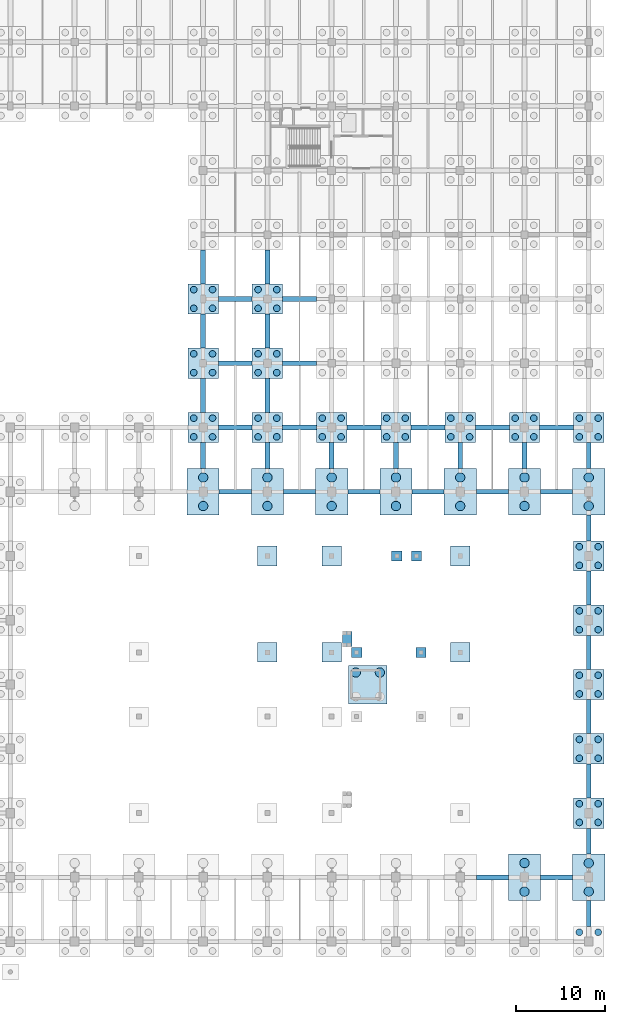
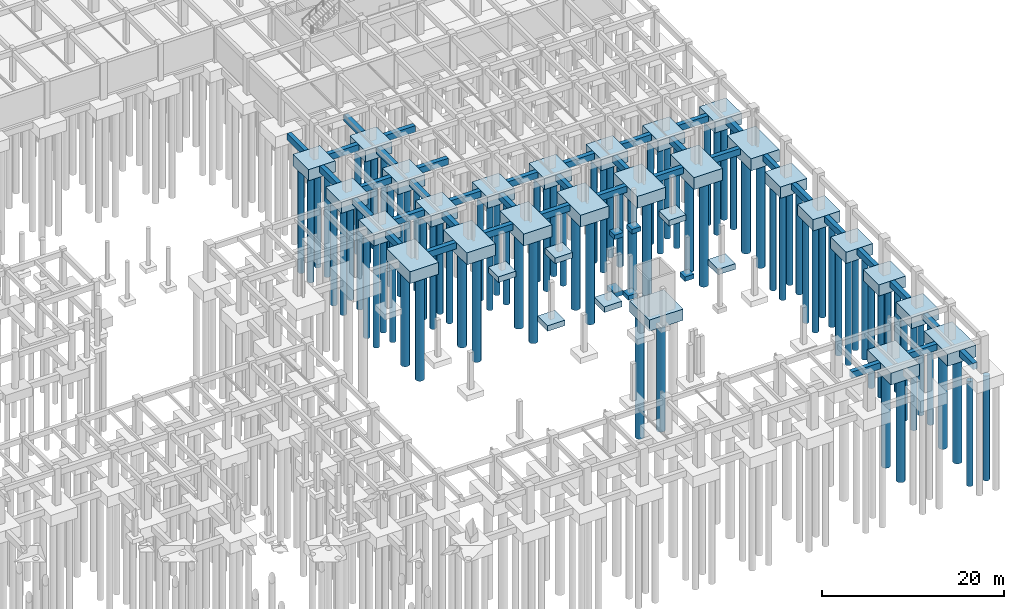
# One storey, part 11 of 47: 86 piles, 75 footings.
"""IFC4 building model written with IfcOpenShell, lengths in metres."""

from ifc_helpers import new_model, si_unit, direction, frame, origin, origin_2d, place, context, subcontext, project, spatial, rectangle, circle, extrude, material, material_profile, profile_set, type_object, element, save


model = new_model("IFC4")

# Units and contexts
model_context = context("Model", 3, precision=1e-05, world=origin(), true_north=direction((0.0, 1.0)))
body_context = subcontext(model_context, "Body", "Model", "MODEL_VIEW")
ifc_project = project(units=[si_unit("LENGTHUNIT", "METRE"), si_unit("AREAUNIT", "SQUARE_METRE"), si_unit("VOLUMEUNIT", "CUBIC_METRE"), si_unit("PLANEANGLEUNIT", "RADIAN"), si_unit("MASSUNIT", "GRAM", prefix="KILO")], contexts=[model_context])

# Site, building, storey
site_placement = place(None, origin())
site = spatial("IfcSite", under=ifc_project, at=site_placement, CompositionType="ELEMENT")
building_placement = place(site_placement, origin())
building = spatial("IfcBuilding", under=site, at=building_placement, Name="Thalmaran Polytechnic", CompositionType="ELEMENT")
storey_placement = place(building_placement, frame((0.0, 0.0, -4.5)))
storey = spatial("IfcBuildingStorey", under=building, at=storey_placement, Name="B1", CompositionType="ELEMENT", Elevation=-4.5)

# Footings
ifc_material_1 = material(Name="Concrete C40/50", Category="concrete")
ifc_material_profile_1 = material_profile(ifc_material_1, rectangle(XDim=0.550048828125, YDim=0.85009765625, at=origin_2d()), Name="RC 550x850")
ifc_profile_set_1 = profile_set([ifc_material_profile_1], Name="Concrete C40/50")
footing_type_1 = type_object("IfcFootingType", Name="FN-GB01", PredefinedType="FOOTING_BEAM", material=ifc_profile_set_1)
footing_1_placement = place(storey_placement, frame((131.39990234375, 50.39990234375, -0.875), z_axis=(1.0, 0.0, 0.0), x_axis=(0.0, 1.0, 0.0)))
element("IfcFooting", 1, at=footing_1_placement, inside=storey, type_object=footing_type_1, Name="Ground Tie Beam B1 X (18,7)", PredefinedType="FOOTING_BEAM", context=body_context, shape_type="SweptSolid", body=[
    extrude(rectangle(XDim=0.550048828125, YDim=0.85009765625, at=origin_2d()), origin(), (0.0, 0.0, 1.0), 3.60009765625),
])
footing_2_placement = place(storey_placement, frame((129.60009765625, 53.0, -0.875), z_axis=(0.0, 1.0, 0.0), x_axis=(-1.0, 0.0, 0.0)))
element("IfcFooting", 2, at=footing_2_placement, inside=storey, type_object=footing_type_1, Name="Ground Tie Beam B1 Y (18,7)", PredefinedType="FOOTING_BEAM", context=body_context, shape_type="SweptSolid", body=[
    extrude(rectangle(XDim=0.550048828125, YDim=0.85009765625, at=origin_2d()), origin(), (0.0, 0.0, 1.0), 2.89990234375),
])
for number, where, z_axis, x_axis, name in (
    (3, (131.300048828125, 57.60009765625, -0.875), (1.0, 0.0, 0.0), (0.0, 1.0, 0.0), "Ground Tie Beam B1 X (18,8)"),
    (4, (129.60009765625, 59.300048828125, -0.875), (0.0, 1.0, 0.0), (-1.0, 0.0, 0.0), "Ground Tie Beam B1 Y (18,8)"),
    (5, (131.300048828125, 64.800048828125, -0.875), (1.0, 0.0, 0.0), (0.0, 1.0, 0.0), "Ground Tie Beam B1 X (18,9)"),
    (6, (129.60009765625, 66.5, -0.875), (0.0, 1.0, 0.0), (-1.0, 0.0, 0.0), "Ground Tie Beam B1 Y (18,9)"),
    (7, (131.300048828125, 72.0, -0.875), (1.0, 0.0, 0.0), (0.0, 1.0, 0.0), "Ground Tie Beam B1 X (18,10)"),
    (8, (129.60009765625, 73.699951171875, -0.875), (0.0, 1.0, 0.0), (-1.0, 0.0, 0.0), "Ground Tie Beam B1 Y (18,10)"),
):
    element("IfcFooting", number, at=place(storey_placement, frame(where, z_axis=z_axis, x_axis=x_axis)), inside=storey, type_object=footing_type_1, Name=name, PredefinedType="FOOTING_BEAM", context=body_context, shape_type="SweptSolid", body=[
        extrude(rectangle(XDim=0.550048828125, YDim=0.85009765625, at=origin_2d()), origin(), (0.0, 0.0, 1.0), 3.800048828125),
    ])
footing_3_placement = place(storey_placement, frame((138.60009765625, 50.39990234375, -0.875), z_axis=(1.0, 0.0, 0.0), x_axis=(0.0, 1.0, 0.0)))
element("IfcFooting", 9, at=footing_3_placement, inside=storey, type_object=footing_type_1, Name="Ground Tie Beam B1 X (19,7)", PredefinedType="FOOTING_BEAM", context=body_context, shape_type="SweptSolid", body=[
    extrude(rectangle(XDim=0.550048828125, YDim=0.85009765625, at=origin_2d()), origin(), (0.0, 0.0, 1.0), 3.599853515625),
])
footing_4_placement = place(storey_placement, frame((136.800048828125, 53.0, -0.875), z_axis=(0.0, 1.0, 0.0), x_axis=(-1.0, 0.0, 0.0)))
element("IfcFooting", 10, at=footing_4_placement, inside=storey, type_object=footing_type_1, Name="Ground Tie Beam B1 Y (19,7)", PredefinedType="FOOTING_BEAM", context=body_context, shape_type="SweptSolid", body=[
    extrude(rectangle(XDim=0.550048828125, YDim=0.85009765625, at=origin_2d()), origin(), (0.0, 0.0, 1.0), 2.89990234375),
])
for number, where, z_axis, x_axis, name in (
    (11, (138.5, 57.60009765625, -0.875), (1.0, 0.0, 0.0), (0.0, 1.0, 0.0), "Ground Tie Beam B1 X (19,8)"),
    (12, (136.800048828125, 59.300048828125, -0.875), (0.0, 1.0, 0.0), (-1.0, 0.0, 0.0), "Ground Tie Beam B1 Y (19,8)"),
    (13, (138.5, 64.800048828125, -0.875), (1.0, 0.0, 0.0), (0.0, 1.0, 0.0), "Ground Tie Beam B1 X (19,9)"),
    (14, (136.800048828125, 66.5, -0.875), (0.0, 1.0, 0.0), (-1.0, 0.0, 0.0), "Ground Tie Beam B1 Y (19,9)"),
    (15, (138.5, 72.0, -0.875), (1.0, 0.0, 0.0), (0.0, 1.0, 0.0), "Ground Tie Beam B1 X (19,10)"),
    (16, (136.800048828125, 73.699951171875, -0.875), (0.0, 1.0, 0.0), (-1.0, 0.0, 0.0), "Ground Tie Beam B1 Y (19,10)"),
):
    element("IfcFooting", number, at=place(storey_placement, frame(where, z_axis=z_axis, x_axis=x_axis)), inside=storey, type_object=footing_type_1, Name=name, PredefinedType="FOOTING_BEAM", context=body_context, shape_type="SweptSolid", body=[
        extrude(rectangle(XDim=0.550048828125, YDim=0.85009765625, at=origin_2d()), origin(), (0.0, 0.0, 1.0), 3.800048828125),
    ])
footing_5_placement = place(storey_placement, frame((145.800048828125, 50.39990234375, -0.875), z_axis=(1.0, 0.0, 0.0), x_axis=(0.0, 1.0, 0.0)))
element("IfcFooting", 17, at=footing_5_placement, inside=storey, type_object=footing_type_1, Name="Ground Tie Beam B1 X (20,7)", PredefinedType="FOOTING_BEAM", context=body_context, shape_type="SweptSolid", body=[
    extrude(rectangle(XDim=0.550048828125, YDim=0.85009765625, at=origin_2d()), origin(), (0.0, 0.0, 1.0), 3.599853515625),
])
footing_6_placement = place(storey_placement, frame((144.0, 53.0, -0.875), z_axis=(0.0, 1.0, 0.0), x_axis=(-1.0, 0.0, 0.0)))
element("IfcFooting", 18, at=footing_6_placement, inside=storey, type_object=footing_type_1, Name="Ground Tie Beam B1 Y (20,7)", PredefinedType="FOOTING_BEAM", context=body_context, shape_type="SweptSolid", body=[
    extrude(rectangle(XDim=0.550048828125, YDim=0.85009765625, at=origin_2d()), origin(), (0.0, 0.0, 1.0), 2.89990234375),
])
footing_7_placement = place(storey_placement, frame((145.699951171875, 57.60009765625, -0.875), z_axis=(1.0, 0.0, 0.0), x_axis=(0.0, 1.0, 0.0)))
element("IfcFooting", 19, at=footing_7_placement, inside=storey, type_object=footing_type_1, Name="Ground Tie Beam B1 X (20,8)", PredefinedType="FOOTING_BEAM", context=body_context, shape_type="SweptSolid", body=[
    extrude(rectangle(XDim=0.550048828125, YDim=0.85009765625, at=origin_2d()), origin(), (0.0, 0.0, 1.0), 3.800048828125),
])
footing_8_placement = place(storey_placement, frame((153.0, 50.39990234375, -0.875), z_axis=(1.0, 0.0, 0.0), x_axis=(0.0, 1.0, 0.0)))
element("IfcFooting", 20, at=footing_8_placement, inside=storey, type_object=footing_type_1, Name="Ground Tie Beam B1 X (21,7)", PredefinedType="FOOTING_BEAM", context=body_context, shape_type="SweptSolid", body=[
    extrude(rectangle(XDim=0.550048828125, YDim=0.85009765625, at=origin_2d()), origin(), (0.0, 0.0, 1.0), 3.60009765625),
])
footing_9_placement = place(storey_placement, frame((151.199951171875, 53.0, -0.875), z_axis=(0.0, 1.0, 0.0), x_axis=(-1.0, 0.0, 0.0)))
element("IfcFooting", 21, at=footing_9_placement, inside=storey, type_object=footing_type_1, Name="Ground Tie Beam B1 Y (21,7)", PredefinedType="FOOTING_BEAM", context=body_context, shape_type="SweptSolid", body=[
    extrude(rectangle(XDim=0.550048828125, YDim=0.85009765625, at=origin_2d()), origin(), (0.0, 0.0, 1.0), 2.89990234375),
])
footing_10_placement = place(storey_placement, frame((152.89990234375, 57.60009765625, -0.875), z_axis=(1.0, 0.0, 0.0), x_axis=(0.0, 1.0, 0.0)))
element("IfcFooting", 22, at=footing_10_placement, inside=storey, type_object=footing_type_1, Name="Ground Tie Beam B1 X (21,8)", PredefinedType="FOOTING_BEAM", context=body_context, shape_type="SweptSolid", body=[
    extrude(rectangle(XDim=0.550048828125, YDim=0.85009765625, at=origin_2d()), origin(), (0.0, 0.0, 1.0), 3.800048828125),
])
for number, where, z_axis, x_axis, name in (
    (23, (160.199951171875, 7.199951171875, -0.875), (1.0, 0.0, 0.0), (0.0, 1.0, 0.0), "Ground Tie Beam B1 X (22,1)"),
    (24, (160.199951171875, 50.39990234375, -0.875), (1.0, 0.0, 0.0), (0.0, 1.0, 0.0), "Ground Tie Beam B1 X (22,7)"),
):
    element("IfcFooting", number, at=place(storey_placement, frame(where, z_axis=z_axis, x_axis=x_axis)), inside=storey, type_object=footing_type_1, Name=name, PredefinedType="FOOTING_BEAM", context=body_context, shape_type="SweptSolid", body=[
        extrude(rectangle(XDim=0.550048828125, YDim=0.85009765625, at=origin_2d()), origin(), (0.0, 0.0, 1.0), 3.60009765625),
    ])
footing_11_placement = place(storey_placement, frame((158.39990234375, 53.0, -0.875), z_axis=(0.0, 1.0, 0.0), x_axis=(-1.0, 0.0, 0.0)))
element("IfcFooting", 25, at=footing_11_placement, inside=storey, type_object=footing_type_1, Name="Ground Tie Beam B1 Y (22,7)", PredefinedType="FOOTING_BEAM", context=body_context, shape_type="SweptSolid", body=[
    extrude(rectangle(XDim=0.550048828125, YDim=0.85009765625, at=origin_2d()), origin(), (0.0, 0.0, 1.0), 2.89990234375),
])
footing_12_placement = place(storey_placement, frame((160.10009765625, 57.60009765625, -0.875), z_axis=(1.0, 0.0, 0.0), x_axis=(0.0, 1.0, 0.0)))
element("IfcFooting", 26, at=footing_12_placement, inside=storey, type_object=footing_type_1, Name="Ground Tie Beam B1 X (22,8)", PredefinedType="FOOTING_BEAM", context=body_context, shape_type="SweptSolid", body=[
    extrude(rectangle(XDim=0.550048828125, YDim=0.85009765625, at=origin_2d()), origin(), (0.0, 0.0, 1.0), 3.7998046875),
])
for number, where, z_axis, x_axis, name in (
    (27, (167.39990234375, 7.199951171875, -0.875), (1.0, 0.0, 0.0), (0.0, 1.0, 0.0), "Ground Tie Beam B1 X (23,1)"),
    (28, (167.39990234375, 50.39990234375, -0.875), (1.0, 0.0, 0.0), (0.0, 1.0, 0.0), "Ground Tie Beam B1 X (23,7)"),
):
    element("IfcFooting", number, at=place(storey_placement, frame(where, z_axis=z_axis, x_axis=x_axis)), inside=storey, type_object=footing_type_1, Name=name, PredefinedType="FOOTING_BEAM", context=body_context, shape_type="SweptSolid", body=[
        extrude(rectangle(XDim=0.550048828125, YDim=0.85009765625, at=origin_2d()), origin(), (0.0, 0.0, 1.0), 3.60009765625),
    ])
footing_13_placement = place(storey_placement, frame((165.60009765625, 53.0, -0.875), z_axis=(0.0, 1.0, 0.0), x_axis=(-1.0, 0.0, 0.0)))
element("IfcFooting", 29, at=footing_13_placement, inside=storey, type_object=footing_type_1, Name="Ground Tie Beam B1 Y (23,7)", PredefinedType="FOOTING_BEAM", context=body_context, shape_type="SweptSolid", body=[
    extrude(rectangle(XDim=0.550048828125, YDim=0.85009765625, at=origin_2d()), origin(), (0.0, 0.0, 1.0), 2.89990234375),
])
footing_14_placement = place(storey_placement, frame((167.300048828125, 57.60009765625, -0.875), z_axis=(1.0, 0.0, 0.0), x_axis=(0.0, 1.0, 0.0)))
element("IfcFooting", 30, at=footing_14_placement, inside=storey, type_object=footing_type_1, Name="Ground Tie Beam B1 X (23,8)", PredefinedType="FOOTING_BEAM", context=body_context, shape_type="SweptSolid", body=[
    extrude(rectangle(XDim=0.550048828125, YDim=0.85009765625, at=origin_2d()), origin(), (0.0, 0.0, 1.0), 3.800048828125),
])
footing_15_placement = place(storey_placement, frame((172.800048828125, 1.699951171875, -0.875), z_axis=(0.0, 1.0, 0.0), x_axis=(-1.0, 0.0, 0.0)))
element("IfcFooting", 31, at=footing_15_placement, inside=storey, type_object=footing_type_1, Name="Ground Tie Beam B1 Y (24,0)", PredefinedType="FOOTING_BEAM", context=body_context, shape_type="SweptSolid", body=[
    extrude(rectangle(XDim=0.550048828125, YDim=0.85009765625, at=origin_2d()), origin(), (0.0, 0.0, 1.0), 2.900146484375),
])
footing_16_placement = place(storey_placement, frame((172.800048828125, 9.800048828125, -0.875), z_axis=(0.0, 1.0, 0.0), x_axis=(-1.0, 0.0, 0.0)))
element("IfcFooting", 32, at=footing_16_placement, inside=storey, type_object=footing_type_1, Name="Ground Tie Beam B1 Y (24,1)", PredefinedType="FOOTING_BEAM", context=body_context, shape_type="SweptSolid", body=[
    extrude(rectangle(XDim=0.550048828125, YDim=0.85009765625, at=origin_2d()), origin(), (0.0, 0.0, 1.0), 2.89990234375),
])
footing_17_placement = place(storey_placement, frame((172.800048828125, 16.10009765625, -0.875), z_axis=(0.0, 1.0, 0.0), x_axis=(-1.0, 0.0, 0.0)))
element("IfcFooting", 33, at=footing_17_placement, inside=storey, type_object=footing_type_1, Name="Ground Tie Beam B1 Y (24,2)", PredefinedType="FOOTING_BEAM", context=body_context, shape_type="SweptSolid", body=[
    extrude(rectangle(XDim=0.550048828125, YDim=0.85009765625, at=origin_2d()), origin(), (0.0, 0.0, 1.0), 3.7998046875),
])
for number, where, z_axis, x_axis, name in (
    (34, (172.800048828125, 23.300048828125, -0.875), (0.0, 1.0, 0.0), (-1.0, 0.0, 0.0), "Ground Tie Beam B1 Y (24,3)"),
    (35, (172.800048828125, 30.5, -0.875), (0.0, 1.0, 0.0), (-1.0, 0.0, 0.0), "Ground Tie Beam B1 Y (24,4)"),
    (36, (172.800048828125, 37.699951171875, -0.875), (0.0, 1.0, 0.0), (-1.0, 0.0, 0.0), "Ground Tie Beam B1 Y (24,5)"),
):
    element("IfcFooting", number, at=place(storey_placement, frame(where, z_axis=z_axis, x_axis=x_axis)), inside=storey, type_object=footing_type_1, Name=name, PredefinedType="FOOTING_BEAM", context=body_context, shape_type="SweptSolid", body=[
        extrude(rectangle(XDim=0.550048828125, YDim=0.85009765625, at=origin_2d()), origin(), (0.0, 0.0, 1.0), 3.800048828125),
    ])
footing_18_placement = place(storey_placement, frame((172.800048828125, 44.89990234375, -0.875), z_axis=(0.0, 1.0, 0.0), x_axis=(-1.0, 0.0, 0.0)))
element("IfcFooting", 37, at=footing_18_placement, inside=storey, type_object=footing_type_1, Name="Ground Tie Beam B1 Y (24,6)", PredefinedType="FOOTING_BEAM", context=body_context, shape_type="SweptSolid", body=[
    extrude(rectangle(XDim=0.550048828125, YDim=0.85009765625, at=origin_2d()), origin(), (0.0, 0.0, 1.0), 2.900146484375),
])
footing_19_placement = place(storey_placement, frame((172.800048828125, 53.0, -0.875), z_axis=(0.0, 1.0, 0.0), x_axis=(-1.0, 0.0, 0.0)))
element("IfcFooting", 38, at=footing_19_placement, inside=storey, type_object=footing_type_1, Name="Ground Tie Beam B1 Y (24,7)", PredefinedType="FOOTING_BEAM", context=body_context, shape_type="SweptSolid", body=[
    extrude(rectangle(XDim=0.550048828125, YDim=0.85009765625, at=origin_2d()), origin(), (0.0, 0.0, 1.0), 2.89990234375),
])
footing_type_2 = type_object("IfcFootingType", Name="FN-PC01", PredefinedType="PILE_CAP", material=ifc_material_1)
for number, where, z_axis, x_axis, name in (
    (39, (129.60009765625, 57.60009765625, -1.949951171875), (0.0, 0.0, 1.0), (1.0, 0.0, 0.0), "Pile Cap PC01 (18,8)"),
    (40, (129.60009765625, 64.800048828125, -1.949951171875), (0.0, 0.0, 1.0), (1.0, 0.0, 0.0), "Pile Cap PC01 (18,9)"),
    (41, (129.60009765625, 72.0, -1.949951171875), (0.0, 0.0, 1.0), (1.0, 0.0, 0.0), "Pile Cap PC01 (18,10)"),
    (42, (136.800048828125, 57.60009765625, -1.949951171875), (0.0, 0.0, 1.0), (1.0, 0.0, 0.0), "Pile Cap PC01 (19,8)"),
    (43, (136.800048828125, 64.800048828125, -1.949951171875), (0.0, 0.0, 1.0), (1.0, 0.0, 0.0), "Pile Cap PC01 (19,9)"),
    (44, (136.800048828125, 72.0, -1.949951171875), (0.0, 0.0, 1.0), (1.0, 0.0, 0.0), "Pile Cap PC01 (19,10)"),
    (45, (144.0, 57.60009765625, -1.949951171875), (0.0, 0.0, 1.0), (1.0, 0.0, 0.0), "Pile Cap PC01 (20,8)"),
    (46, (151.199951171875, 57.60009765625, -1.949951171875), (0.0, 0.0, 1.0), (1.0, 0.0, 0.0), "Pile Cap PC01 (21,8)"),
    (47, (158.39990234375, 57.60009765625, -1.949951171875), (0.0, 0.0, 1.0), (1.0, 0.0, 0.0), "Pile Cap PC01 (22,8)"),
    (48, (165.60009765625, 57.60009765625, -1.949951171875), (0.0, 0.0, 1.0), (1.0, 0.0, 0.0), "Pile Cap PC01 (23,8)"),
    (49, (172.800048828125, 14.39990234375, -1.949951171875), (0.0, 0.0, 1.0), (1.0, 0.0, 0.0), "Pile Cap PC01 (24,2)"),
    (50, (172.800048828125, 21.60009765625, -1.949951171875), (0.0, 0.0, 1.0), (1.0, 0.0, 0.0), "Pile Cap PC01 (24,3)"),
    (51, (172.800048828125, 28.800048828125, -1.949951171875), (0.0, 0.0, 1.0), (1.0, 0.0, 0.0), "Pile Cap PC01 (24,4)"),
    (52, (172.800048828125, 36.0, -1.949951171875), (0.0, 0.0, 1.0), (1.0, 0.0, 0.0), "Pile Cap PC01 (24,5)"),
    (53, (172.800048828125, 43.199951171875, -1.949951171875), (0.0, 0.0, 1.0), (1.0, 0.0, 0.0), "Pile Cap PC01 (24,6)"),
    (54, (172.800048828125, 57.60009765625, -1.949951171875), (0.0, 0.0, 1.0), (1.0, 0.0, 0.0), "Pile Cap PC01 (24,8)"),
):
    element("IfcFooting", number, at=place(storey_placement, frame(where, z_axis=z_axis, x_axis=x_axis)), inside=storey, type_object=footing_type_2, Name=name, PredefinedType="PILE_CAP", context=body_context, shape_type="SweptSolid", body=[
        extrude(rectangle(XDim=3.39990234375, YDim=3.39990234375, at=origin_2d()), origin(), (0.0, 0.0, 1.0), 1.5),
    ])
footing_20_placement = place(storey_placement, frame((148.050048828125, 28.800048828125, -1.949951171875), z_axis=(0.0, 0.0, 1.0), x_axis=(1.0, 0.0, 0.0)))
element("IfcFooting", 55, at=footing_20_placement, inside=storey, type_object=footing_type_2, Name="Pod Lift Pit Pile Cap", PredefinedType="PILE_CAP", context=body_context, shape_type="SweptSolid", body=[
    extrude(rectangle(XDim=4.300048828125, YDim=4.300048828125, at=origin_2d()), origin(), (0.0, 0.0, 1.0), 1.5),
])
footing_type_3 = type_object("IfcFootingType", Name="FN-PC08", PredefinedType="PILE_CAP", material=ifc_material_1)
for number, where, z_axis, x_axis, name in (
    (56, (129.60009765625, 50.39990234375, -2.050048828125), (0.0, 0.0, 1.0), (1.0, 0.0, 0.0), "Pile Cap PC08 (18,7)"),
    (57, (136.800048828125, 50.39990234375, -2.050048828125), (0.0, 0.0, 1.0), (1.0, 0.0, 0.0), "Pile Cap PC08 (19,7)"),
    (58, (144.0, 50.39990234375, -2.050048828125), (0.0, 0.0, 1.0), (1.0, 0.0, 0.0), "Pile Cap PC08 (20,7)"),
    (59, (151.199951171875, 50.39990234375, -2.050048828125), (0.0, 0.0, 1.0), (1.0, 0.0, 0.0), "Pile Cap PC08 (21,7)"),
    (60, (158.39990234375, 50.39990234375, -2.050048828125), (0.0, 0.0, 1.0), (1.0, 0.0, 0.0), "Pile Cap PC08 (22,7)"),
    (61, (165.60009765625, 7.199951171875, -2.050048828125), (0.0, 0.0, 1.0), (1.0, 0.0, 0.0), "Pile Cap PC08 (23,1)"),
    (62, (165.60009765625, 50.39990234375, -2.050048828125), (0.0, 0.0, 1.0), (1.0, 0.0, 0.0), "Pile Cap PC08 (23,7)"),
    (63, (172.800048828125, 7.199951171875, -2.050048828125), (0.0, 0.0, 1.0), (1.0, 0.0, 0.0), "Pile Cap PC08 (24,1)"),
    (64, (172.800048828125, 50.39990234375, -2.050048828125), (0.0, 0.0, 1.0), (1.0, 0.0, 0.0), "Pile Cap PC08 (24,7)"),
):
    element("IfcFooting", number, at=place(storey_placement, frame(where, z_axis=z_axis, x_axis=x_axis)), inside=storey, type_object=footing_type_3, Name=name, PredefinedType="PILE_CAP", context=body_context, shape_type="SweptSolid", body=[
        extrude(rectangle(XDim=3.60009765625, YDim=5.199951171875, at=origin_2d()), origin(), (0.0, 0.0, 1.0), 1.60009765625),
    ])
footing_type_4 = type_object("IfcFootingType", Name="FN-PF01", PredefinedType="PAD_FOOTING", material=ifc_material_1)
for number, where, z_axis, x_axis, name in (
    (65, (136.800048828125, 32.39990234375, -1.199951171875), (0.0, 0.0, 1.0), (1.0, 0.0, 0.0), "POD3 Sabkha Pad Footing"),
    (66, (136.800048828125, 43.199951171875, -1.199951171875), (0.0, 0.0, 1.0), (1.0, 0.0, 0.0), "POD3 Sabkha Pad Footing"),
    (67, (144.0, 32.39990234375, -1.199951171875), (0.0, 0.0, 1.0), (1.0, 0.0, 0.0), "POD4 Sabkha Pad Footing"),
    (68, (144.0, 43.199951171875, -1.199951171875), (0.0, 0.0, 1.0), (1.0, 0.0, 0.0), "POD4 Sabkha Pad Footing"),
    (69, (158.39990234375, 32.39990234375, -1.199951171875), (0.0, 0.0, 1.0), (1.0, 0.0, 0.0), "POD4 Sabkha Pad Footing"),
    (70, (158.39990234375, 43.199951171875, -1.199951171875), (0.0, 0.0, 1.0), (1.0, 0.0, 0.0), "POD4 Sabkha Pad Footing"),
):
    element("IfcFooting", number, at=place(storey_placement, frame(where, z_axis=z_axis, x_axis=x_axis)), inside=storey, type_object=footing_type_4, Name=name, PredefinedType="PAD_FOOTING", context=body_context, shape_type="SweptSolid", body=[
        extrude(rectangle(XDim=2.199951171875, YDim=2.199951171875, at=origin_2d()), origin(), (0.0, 0.0, 1.0), 0.75),
    ])
footing_type_5 = type_object("IfcFootingType", Name="FN-PF02", PredefinedType="PAD_FOOTING", material=ifc_material_1)
footing_21_placement = place(storey_placement, frame((145.75, 33.89990234375, -1.099853515625), z_axis=(0.0, 0.0, 1.0), x_axis=(1.0, 0.0, 0.0)))
element("IfcFooting", 71, at=footing_21_placement, inside=storey, type_object=footing_type_5, Name="STP2 Combined Landing Pad Footing", PredefinedType="PAD_FOOTING", context=body_context, shape_type="SweptSolid", body=[
    extrude(rectangle(XDim=1.0400390625, YDim=1.64990234375, at=origin_2d()), origin(), (0.0, 0.0, 1.0), 0.64990234375),
])
footing_type_6 = type_object("IfcFootingType", Name="FN-PF03", PredefinedType="PAD_FOOTING", material=ifc_material_1)
for number, where, z_axis, x_axis, name in (
    (72, (146.800048828125, 32.39990234375, -1.050048828125), (0.0, 0.0, 1.0), (1.0, 0.0, 0.0), "Pod Bridge Footing (146.8,32.4)"),
    (73, (154.0, 32.39990234375, -1.050048828125), (0.0, 0.0, 1.0), (1.0, 0.0, 0.0), "Pod Bridge Footing (154.0,32.4)"),
    (74, (151.300048828125, 43.199951171875, -1.050048828125), (0.0, 0.0, 1.0), (1.0, 0.0, 0.0), "Pod Bridge Footing (151.3,43.2)"),
    (75, (153.5, 43.199951171875, -1.050048828125), (0.0, 0.0, 1.0), (1.0, 0.0, 0.0), "Pod Bridge Footing (153.5,43.2)"),
):
    element("IfcFooting", number, at=place(storey_placement, frame(where, z_axis=z_axis, x_axis=x_axis)), inside=storey, type_object=footing_type_6, Name=name, PredefinedType="PAD_FOOTING", context=body_context, shape_type="SweptSolid", body=[
        extrude(rectangle(XDim=1.14990234375, YDim=1.14990234375, at=origin_2d()), origin(), (0.0, 0.0, 1.0), 0.60009765625),
    ])

# Piles
ifc_material_2 = material(Name="Concrete C35/45", Category="concrete")
ifc_material_profile_2 = material_profile(ifc_material_2, circle(Radius=0.52490234375, at=origin_2d()), Name="RC 1050 DIA")
ifc_profile_set_2 = profile_set([ifc_material_profile_2], Name="Concrete C35/45")
pile_type_1 = type_object("IfcPileType", Name="PL-BP01", PredefinedType="BORED", material=ifc_profile_set_2)
for number, where, z_axis, x_axis, name in (
    (76, (129.60009765625, 48.800048828125, -2.050048828125), (0.0, 0.0, -1.0), (1.0, 0.0, 0.0), "Bored Pile BP01 (18,7)-1"),
    (77, (129.60009765625, 52.0, -2.050048828125), (0.0, 0.0, -1.0), (1.0, 0.0, 0.0), "Bored Pile BP01 (18,7)-2"),
    (78, (136.800048828125, 48.800048828125, -2.050048828125), (0.0, 0.0, -1.0), (1.0, 0.0, 0.0), "Bored Pile BP01 (19,7)-1"),
    (79, (136.800048828125, 52.0, -2.050048828125), (0.0, 0.0, -1.0), (1.0, 0.0, 0.0), "Bored Pile BP01 (19,7)-2"),
    (80, (144.0, 48.800048828125, -2.050048828125), (0.0, 0.0, -1.0), (1.0, 0.0, 0.0), "Bored Pile BP01 (20,7)-1"),
    (81, (144.0, 52.0, -2.050048828125), (0.0, 0.0, -1.0), (1.0, 0.0, 0.0), "Bored Pile BP01 (20,7)-2"),
    (82, (151.199951171875, 48.800048828125, -2.050048828125), (0.0, 0.0, -1.0), (1.0, 0.0, 0.0), "Bored Pile BP01 (21,7)-1"),
    (83, (151.199951171875, 52.0, -2.050048828125), (0.0, 0.0, -1.0), (1.0, 0.0, 0.0), "Bored Pile BP01 (21,7)-2"),
    (84, (158.39990234375, 48.800048828125, -2.050048828125), (0.0, 0.0, -1.0), (1.0, 0.0, 0.0), "Bored Pile BP01 (22,7)-1"),
    (85, (158.39990234375, 52.0, -2.050048828125), (0.0, 0.0, -1.0), (1.0, 0.0, 0.0), "Bored Pile BP01 (22,7)-2"),
    (86, (165.60009765625, 5.60009765625, -2.050048828125), (0.0, 0.0, -1.0), (1.0, 0.0, 0.0), "Bored Pile BP01 (23,1)-1"),
    (87, (165.60009765625, 8.800048828125, -2.050048828125), (0.0, 0.0, -1.0), (1.0, 0.0, 0.0), "Bored Pile BP01 (23,1)-2"),
    (88, (165.60009765625, 48.800048828125, -2.050048828125), (0.0, 0.0, -1.0), (1.0, 0.0, 0.0), "Bored Pile BP01 (23,7)-1"),
    (89, (165.60009765625, 52.0, -2.050048828125), (0.0, 0.0, -1.0), (1.0, 0.0, 0.0), "Bored Pile BP01 (23,7)-2"),
    (90, (172.800048828125, 5.60009765625, -2.050048828125), (0.0, 0.0, -1.0), (1.0, 0.0, 0.0), "Bored Pile BP01 (24,1)-1"),
    (91, (172.800048828125, 8.800048828125, -2.050048828125), (0.0, 0.0, -1.0), (1.0, 0.0, 0.0), "Bored Pile BP01 (24,1)-2"),
    (92, (172.800048828125, 48.800048828125, -2.050048828125), (0.0, 0.0, -1.0), (1.0, 0.0, 0.0), "Bored Pile BP01 (24,7)-1"),
    (93, (172.800048828125, 52.0, -2.050048828125), (0.0, 0.0, -1.0), (1.0, 0.0, 0.0), "Bored Pile BP01 (24,7)-2"),
):
    element("IfcPile", number, at=place(storey_placement, frame(where, z_axis=z_axis, x_axis=x_axis)), inside=storey, type_object=pile_type_1, Name=name, PredefinedType="BORED", context=body_context, shape_type="SweptSolid", body=[
        extrude(circle(Radius=0.52490234375, at=origin_2d()), origin(), (0.0, 0.0, 1.0), 13.949951171875),
    ])
for number, where, z_axis, x_axis, name in (
    (94, (146.699951171875, 30.14990234375, -18.449951171875), (0.0, 0.0, 1.0), (1.0, 0.0, 0.0), "Pod Lift Bored Pile 3"),
    (95, (149.39990234375, 30.14990234375, -18.449951171875), (0.0, 0.0, 1.0), (1.0, 0.0, 0.0), "Pod Lift Bored Pile 4"),
):
    element("IfcPile", number, at=place(storey_placement, frame(where, z_axis=z_axis, x_axis=x_axis)), inside=storey, type_object=pile_type_1, Name=name, PredefinedType="BORED", context=body_context, shape_type="SweptSolid", body=[
        extrude(circle(Radius=0.52490234375, at=origin_2d()), origin(), (0.0, 0.0, 1.0), 16.5),
    ])
ifc_material_profile_3 = material_profile(ifc_material_2, circle(Radius=0.375, at=origin_2d()), Name="RC 750 DIA")
ifc_profile_set_3 = profile_set([ifc_material_profile_3], Name="Concrete C35/45")
pile_type_2 = type_object("IfcPileType", Name="PL-BP03", PredefinedType="BORED", material=ifc_profile_set_3)
for number, where, z_axis, x_axis, name in (
    (96, (128.550048828125, 56.550048828125, -1.949951171875), (0.0, 0.0, -1.0), (1.0, 0.0, 0.0), "Bored Pile BP03 (18,8)-1"),
    (97, (128.550048828125, 58.64990234375, -1.949951171875), (0.0, 0.0, -1.0), (1.0, 0.0, 0.0), "Bored Pile BP03 (18,8)-2"),
    (98, (130.64990234375, 56.550048828125, -1.949951171875), (0.0, 0.0, -1.0), (1.0, 0.0, 0.0), "Bored Pile BP03 (18,8)-3"),
    (99, (130.64990234375, 58.64990234375, -1.949951171875), (0.0, 0.0, -1.0), (1.0, 0.0, 0.0), "Bored Pile BP03 (18,8)-4"),
    (100, (128.550048828125, 63.75, -1.949951171875), (0.0, 0.0, -1.0), (1.0, 0.0, 0.0), "Bored Pile BP03 (18,9)-1"),
    (101, (128.550048828125, 65.85009765625, -1.949951171875), (0.0, 0.0, -1.0), (1.0, 0.0, 0.0), "Bored Pile BP03 (18,9)-2"),
    (102, (130.64990234375, 63.75, -1.949951171875), (0.0, 0.0, -1.0), (1.0, 0.0, 0.0), "Bored Pile BP03 (18,9)-3"),
    (103, (130.64990234375, 65.85009765625, -1.949951171875), (0.0, 0.0, -1.0), (1.0, 0.0, 0.0), "Bored Pile BP03 (18,9)-4"),
    (104, (128.550048828125, 70.949951171875, -1.949951171875), (0.0, 0.0, -1.0), (1.0, 0.0, 0.0), "Bored Pile BP03 (18,10)-1"),
    (105, (128.550048828125, 73.050048828125, -1.949951171875), (0.0, 0.0, -1.0), (1.0, 0.0, 0.0), "Bored Pile BP03 (18,10)-2"),
    (106, (130.64990234375, 70.949951171875, -1.949951171875), (0.0, 0.0, -1.0), (1.0, 0.0, 0.0), "Bored Pile BP03 (18,10)-3"),
    (107, (130.64990234375, 73.050048828125, -1.949951171875), (0.0, 0.0, -1.0), (1.0, 0.0, 0.0), "Bored Pile BP03 (18,10)-4"),
    (108, (135.75, 56.550048828125, -1.949951171875), (0.0, 0.0, -1.0), (1.0, 0.0, 0.0), "Bored Pile BP03 (19,8)-1"),
    (109, (135.75, 58.64990234375, -1.949951171875), (0.0, 0.0, -1.0), (1.0, 0.0, 0.0), "Bored Pile BP03 (19,8)-2"),
    (110, (137.85009765625, 56.550048828125, -1.949951171875), (0.0, 0.0, -1.0), (1.0, 0.0, 0.0), "Bored Pile BP03 (19,8)-3"),
    (111, (137.85009765625, 58.64990234375, -1.949951171875), (0.0, 0.0, -1.0), (1.0, 0.0, 0.0), "Bored Pile BP03 (19,8)-4"),
    (112, (135.75, 63.75, -1.949951171875), (0.0, 0.0, -1.0), (1.0, 0.0, 0.0), "Bored Pile BP03 (19,9)-1"),
    (113, (135.75, 65.85009765625, -1.949951171875), (0.0, 0.0, -1.0), (1.0, 0.0, 0.0), "Bored Pile BP03 (19,9)-2"),
    (114, (137.85009765625, 63.75, -1.949951171875), (0.0, 0.0, -1.0), (1.0, 0.0, 0.0), "Bored Pile BP03 (19,9)-3"),
    (115, (137.85009765625, 65.85009765625, -1.949951171875), (0.0, 0.0, -1.0), (1.0, 0.0, 0.0), "Bored Pile BP03 (19,9)-4"),
    (116, (135.75, 70.949951171875, -1.949951171875), (0.0, 0.0, -1.0), (1.0, 0.0, 0.0), "Bored Pile BP03 (19,10)-1"),
    (117, (135.75, 73.050048828125, -1.949951171875), (0.0, 0.0, -1.0), (1.0, 0.0, 0.0), "Bored Pile BP03 (19,10)-2"),
    (118, (137.85009765625, 70.949951171875, -1.949951171875), (0.0, 0.0, -1.0), (1.0, 0.0, 0.0), "Bored Pile BP03 (19,10)-3"),
    (119, (137.85009765625, 73.050048828125, -1.949951171875), (0.0, 0.0, -1.0), (1.0, 0.0, 0.0), "Bored Pile BP03 (19,10)-4"),
    (120, (142.949951171875, 56.550048828125, -1.949951171875), (0.0, 0.0, -1.0), (1.0, 0.0, 0.0), "Bored Pile BP03 (20,8)-1"),
    (121, (142.949951171875, 58.64990234375, -1.949951171875), (0.0, 0.0, -1.0), (1.0, 0.0, 0.0), "Bored Pile BP03 (20,8)-2"),
    (122, (145.050048828125, 56.550048828125, -1.949951171875), (0.0, 0.0, -1.0), (1.0, 0.0, 0.0), "Bored Pile BP03 (20,8)-3"),
    (123, (145.050048828125, 58.64990234375, -1.949951171875), (0.0, 0.0, -1.0), (1.0, 0.0, 0.0), "Bored Pile BP03 (20,8)-4"),
    (124, (150.14990234375, 56.550048828125, -1.949951171875), (0.0, 0.0, -1.0), (1.0, 0.0, 0.0), "Bored Pile BP03 (21,8)-1"),
    (125, (150.14990234375, 58.64990234375, -1.949951171875), (0.0, 0.0, -1.0), (1.0, 0.0, 0.0), "Bored Pile BP03 (21,8)-2"),
    (126, (152.25, 56.550048828125, -1.949951171875), (0.0, 0.0, -1.0), (1.0, 0.0, 0.0), "Bored Pile BP03 (21,8)-3"),
    (127, (152.25, 58.64990234375, -1.949951171875), (0.0, 0.0, -1.0), (1.0, 0.0, 0.0), "Bored Pile BP03 (21,8)-4"),
    (128, (157.35009765625, 56.550048828125, -1.949951171875), (0.0, 0.0, -1.0), (1.0, 0.0, 0.0), "Bored Pile BP03 (22,8)-1"),
    (129, (157.35009765625, 58.64990234375, -1.949951171875), (0.0, 0.0, -1.0), (1.0, 0.0, 0.0), "Bored Pile BP03 (22,8)-2"),
    (130, (159.449951171875, 56.550048828125, -1.949951171875), (0.0, 0.0, -1.0), (1.0, 0.0, 0.0), "Bored Pile BP03 (22,8)-3"),
    (131, (159.449951171875, 58.64990234375, -1.949951171875), (0.0, 0.0, -1.0), (1.0, 0.0, 0.0), "Bored Pile BP03 (22,8)-4"),
    (132, (164.550048828125, 56.550048828125, -1.949951171875), (0.0, 0.0, -1.0), (1.0, 0.0, 0.0), "Bored Pile BP03 (23,8)-1"),
    (133, (164.550048828125, 58.64990234375, -1.949951171875), (0.0, 0.0, -1.0), (1.0, 0.0, 0.0), "Bored Pile BP03 (23,8)-2"),
    (134, (166.64990234375, 56.550048828125, -1.949951171875), (0.0, 0.0, -1.0), (1.0, 0.0, 0.0), "Bored Pile BP03 (23,8)-3"),
    (135, (166.64990234375, 58.64990234375, -1.949951171875), (0.0, 0.0, -1.0), (1.0, 0.0, 0.0), "Bored Pile BP03 (23,8)-4"),
    (136, (171.75, 1.050048828125, -1.949951171875), (0.0, 0.0, -1.0), (1.0, 0.0, 0.0), "Bored Pile BP03 (24,0)-2"),
    (137, (173.85009765625, 1.050048828125, -1.949951171875), (0.0, 0.0, -1.0), (1.0, 0.0, 0.0), "Bored Pile BP03 (24,0)-4"),
    (138, (171.75, 13.35009765625, -1.949951171875), (0.0, 0.0, -1.0), (1.0, 0.0, 0.0), "Bored Pile BP03 (24,2)-1"),
    (139, (171.75, 15.449951171875, -1.949951171875), (0.0, 0.0, -1.0), (1.0, 0.0, 0.0), "Bored Pile BP03 (24,2)-2"),
    (140, (173.85009765625, 13.35009765625, -1.949951171875), (0.0, 0.0, -1.0), (1.0, 0.0, 0.0), "Bored Pile BP03 (24,2)-3"),
    (141, (173.85009765625, 15.449951171875, -1.949951171875), (0.0, 0.0, -1.0), (1.0, 0.0, 0.0), "Bored Pile BP03 (24,2)-4"),
    (142, (171.75, 20.550048828125, -1.949951171875), (0.0, 0.0, -1.0), (1.0, 0.0, 0.0), "Bored Pile BP03 (24,3)-1"),
    (143, (171.75, 22.64990234375, -1.949951171875), (0.0, 0.0, -1.0), (1.0, 0.0, 0.0), "Bored Pile BP03 (24,3)-2"),
    (144, (173.85009765625, 20.550048828125, -1.949951171875), (0.0, 0.0, -1.0), (1.0, 0.0, 0.0), "Bored Pile BP03 (24,3)-3"),
    (145, (173.85009765625, 22.64990234375, -1.949951171875), (0.0, 0.0, -1.0), (1.0, 0.0, 0.0), "Bored Pile BP03 (24,3)-4"),
    (146, (171.75, 27.75, -1.949951171875), (0.0, 0.0, -1.0), (1.0, 0.0, 0.0), "Bored Pile BP03 (24,4)-1"),
    (147, (171.75, 29.85009765625, -1.949951171875), (0.0, 0.0, -1.0), (1.0, 0.0, 0.0), "Bored Pile BP03 (24,4)-2"),
    (148, (173.85009765625, 27.75, -1.949951171875), (0.0, 0.0, -1.0), (1.0, 0.0, 0.0), "Bored Pile BP03 (24,4)-3"),
    (149, (173.85009765625, 29.85009765625, -1.949951171875), (0.0, 0.0, -1.0), (1.0, 0.0, 0.0), "Bored Pile BP03 (24,4)-4"),
    (150, (171.75, 34.949951171875, -1.949951171875), (0.0, 0.0, -1.0), (1.0, 0.0, 0.0), "Bored Pile BP03 (24,5)-1"),
    (151, (171.75, 37.050048828125, -1.949951171875), (0.0, 0.0, -1.0), (1.0, 0.0, 0.0), "Bored Pile BP03 (24,5)-2"),
    (152, (173.85009765625, 34.949951171875, -1.949951171875), (0.0, 0.0, -1.0), (1.0, 0.0, 0.0), "Bored Pile BP03 (24,5)-3"),
    (153, (173.85009765625, 37.050048828125, -1.949951171875), (0.0, 0.0, -1.0), (1.0, 0.0, 0.0), "Bored Pile BP03 (24,5)-4"),
    (154, (171.75, 42.14990234375, -1.949951171875), (0.0, 0.0, -1.0), (1.0, 0.0, 0.0), "Bored Pile BP03 (24,6)-1"),
    (155, (171.75, 44.25, -1.949951171875), (0.0, 0.0, -1.0), (1.0, 0.0, 0.0), "Bored Pile BP03 (24,6)-2"),
    (156, (173.85009765625, 42.14990234375, -1.949951171875), (0.0, 0.0, -1.0), (1.0, 0.0, 0.0), "Bored Pile BP03 (24,6)-3"),
    (157, (173.85009765625, 44.25, -1.949951171875), (0.0, 0.0, -1.0), (1.0, 0.0, 0.0), "Bored Pile BP03 (24,6)-4"),
    (158, (171.75, 56.550048828125, -1.949951171875), (0.0, 0.0, -1.0), (1.0, 0.0, 0.0), "Bored Pile BP03 (24,8)-1"),
    (159, (171.75, 58.64990234375, -1.949951171875), (0.0, 0.0, -1.0), (1.0, 0.0, 0.0), "Bored Pile BP03 (24,8)-2"),
    (160, (173.85009765625, 56.550048828125, -1.949951171875), (0.0, 0.0, -1.0), (1.0, 0.0, 0.0), "Bored Pile BP03 (24,8)-3"),
    (161, (173.85009765625, 58.64990234375, -1.949951171875), (0.0, 0.0, -1.0), (1.0, 0.0, 0.0), "Bored Pile BP03 (24,8)-4"),
):
    element("IfcPile", number, at=place(storey_placement, frame(where, z_axis=z_axis, x_axis=x_axis)), inside=storey, type_object=pile_type_2, Name=name, PredefinedType="BORED", context=body_context, shape_type="SweptSolid", body=[
        extrude(circle(Radius=0.375, at=origin_2d()), origin(), (0.0, 0.0, 1.0), 14.050048828125),
    ])

save(model, "model.ifc")
